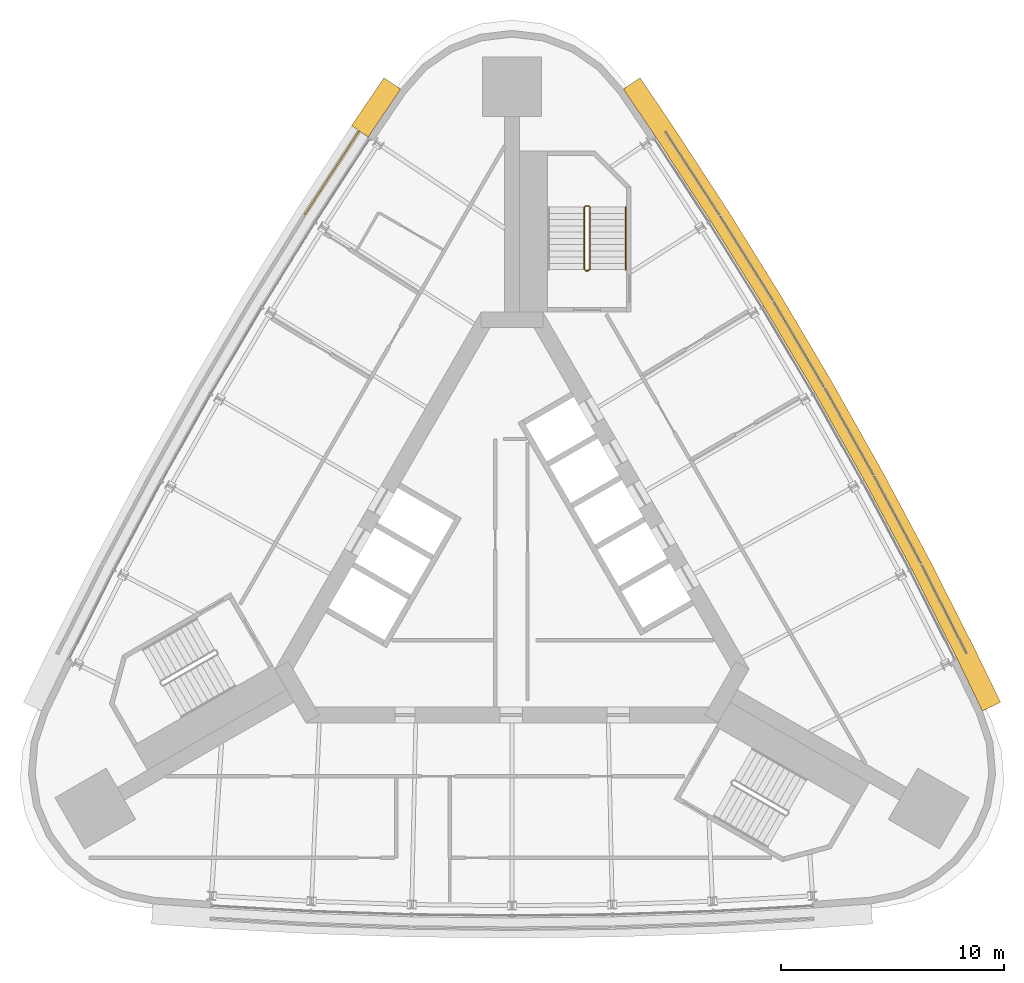
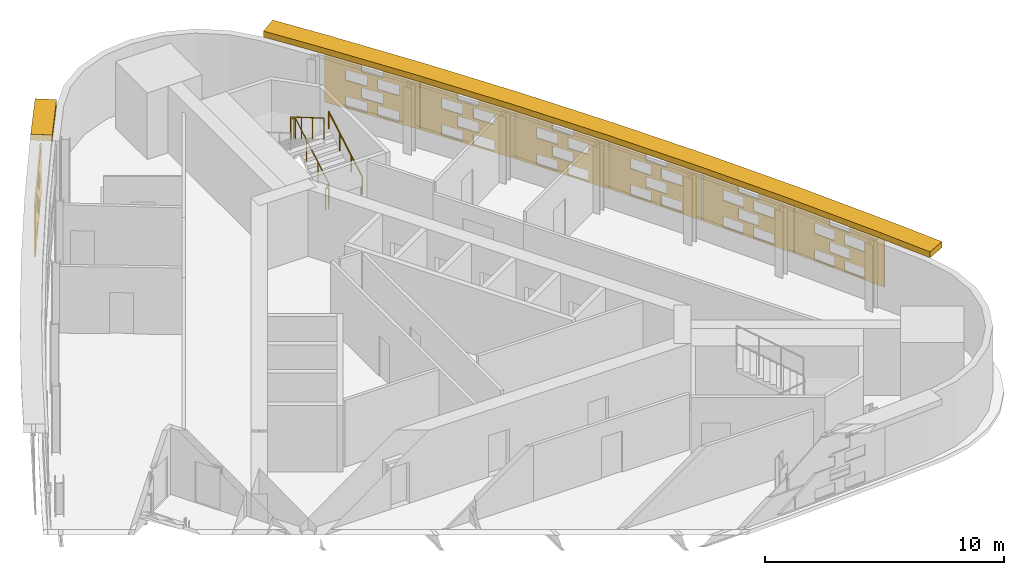
# One storey, part 11 of 11: 9 shading devices, 2 railings.
"""IFC4 building model written with IfcOpenShell, lengths in metres."""

from ifc_helpers import new_model, si_unit, direction, frame, origin, origin_2d, place, context, subcontext, project, spatial, polyline, circle, outline, extrude, material, material_profile, profile_set, type_object, element, save


model = new_model("IFC4")

# Units and contexts
model_context = context("Model", 3, precision=1e-05, world=origin(), true_north=direction((0.0, 1.0)))
body_context = subcontext(model_context, "Body", "Model", "MODEL_VIEW")
ifc_project = project(units=[si_unit("LENGTHUNIT", "METRE"), si_unit("AREAUNIT", "SQUARE_METRE"), si_unit("VOLUMEUNIT", "CUBIC_METRE"), si_unit("PLANEANGLEUNIT", "RADIAN"), si_unit("MASSUNIT", "GRAM", prefix="KILO")], contexts=[model_context])

# Site, building, storey
site_placement = place(None, origin())
site = spatial("IfcSite", under=ifc_project, at=site_placement, CompositionType="ELEMENT")
building_placement = place(site_placement, origin())
building = spatial("IfcBuilding", under=site, at=building_placement, Name="Noor Cloister Tower", CompositionType="ELEMENT")
storey_placement = place(building_placement, frame((0.0, 0.0, 203.10009765625)))
storey = spatial("IfcBuildingStorey", under=building, at=storey_placement, Name="L52", CompositionType="ELEMENT", Elevation=203.10009765625)

# Shading devices
ifc_material_1 = material(Name="Limestone", Category="masonry")
ifc_material_profile = material_profile(ifc_material_1, outline(polyline([(-2.22998046875, -1.35009765625), (2.22998046875, -1.35009765625), (2.22998046875, 1.35009765625), (-2.22998046875, 1.35009765625), (-2.22998046875, -1.35009765625)]), holes=[polyline([(-1.25, -1.282470703125), (-0.25, -1.282470703125), (-0.25, -0.742431640625), (-1.25, -0.742431640625), (-1.25, -1.282470703125)]), polyline([(0.25, -1.282470703125), (1.25, -1.282470703125), (1.25, -0.742431640625), (0.25, -0.742431640625), (0.25, -1.282470703125)]), polyline([(-0.5, -0.607421875), (0.5, -0.607421875), (0.5, -0.0673828125), (-0.5, -0.0673828125), (-0.5, -0.607421875)]), polyline([(-1.25, 0.0673828125), (-0.25, 0.0673828125), (-0.25, 0.607421875), (-1.25, 0.607421875), (-1.25, 0.0673828125)]), polyline([(0.25, 0.0673828125), (1.25, 0.0673828125), (1.25, 0.607421875), (0.25, 0.607421875), (0.25, 0.0673828125)]), polyline([(-0.5, 0.742431640625), (0.5, 0.742431640625), (0.5, 1.282470703125), (-0.5, 1.282470703125), (-0.5, 0.742431640625)])]), Name="Woven screen 32 percent open")
ifc_profile_set = profile_set([ifc_material_profile], Name="Limestone")
shading_device_type_1 = type_object("IfcShadingDeviceType", Name="SCREEN woven limestone 32 percent open", PredefinedType="USERDEFINED", material=ifc_profile_set)
for number, where, z_axis, x_axis, name in (
    (1, (-8.045654296875, 17.65673828125, 1.849853515625), (-0.838257628123, 0.545274379459, 0.0), (-0.545274379459, -0.838257628123, 0.0), "SCREEN L52 1"),
    (2, (19.31396484375, -1.860595703125, 1.849853515625), (0.891970083601, 0.452094425935, 0.0), (-0.452094425935, 0.891970083601, 0.0), "SCREEN L52 1"),
):
    element("IfcShadingDevice", number, at=place(storey_placement, frame(where, z_axis=z_axis, x_axis=x_axis)), inside=storey, type_object=shading_device_type_1, Name=name, ObjectType="SCREEN", PredefinedType="USERDEFINED", context=body_context, shape_type="SweptSolid", body=[
        extrude(outline(polyline([(-2.22998046875, -1.35009765625), (2.22998046875, -1.35009765625), (2.22998046875, 1.35009765625), (-2.22998046875, 1.35009765625), (-2.22998046875, -1.35009765625)]), holes=[polyline([(-1.25, -1.282470703125), (-0.25, -1.282470703125), (-0.25, -0.742431640625), (-1.25, -0.742431640625), (-1.25, -1.282470703125)]), polyline([(0.25, -1.282470703125), (1.25, -1.282470703125), (1.25, -0.742431640625), (0.25, -0.742431640625), (0.25, -1.282470703125)]), polyline([(-0.5, -0.607421875), (0.5, -0.607421875), (0.5, -0.0673828125), (-0.5, -0.0673828125), (-0.5, -0.607421875)]), polyline([(-1.25, 0.0673828125), (-0.25, 0.0673828125), (-0.25, 0.607421875), (-1.25, 0.607421875), (-1.25, 0.0673828125)]), polyline([(0.25, 0.0673828125), (1.25, 0.0673828125), (1.25, 0.607421875), (0.25, 0.607421875), (0.25, 0.0673828125)]), polyline([(-0.5, 0.742431640625), (0.5, 0.742431640625), (0.5, 1.282470703125), (-0.5, 1.282470703125), (-0.5, 0.742431640625)])]), origin(), (0.0, 0.0, 1.0), 0.06005859375),
    ])
for number, where, z_axis, x_axis, name in (
    (3, (17.232421875, 2.1396484375, 1.849853515625), (0.880994429299, 0.473126637957, 0.0), (-0.473126637957, 0.880994429299, 0.0), "SCREEN L52 2"),
    (4, (15.063720703125, 6.093505859375, 1.849853515625), (0.872227864306, 0.489099736994, 0.0), (-0.489099736994, 0.872227864306, 0.0), "SCREEN L52 3"),
):
    element("IfcShadingDevice", number, at=place(storey_placement, frame(where, z_axis=z_axis, x_axis=x_axis)), inside=storey, type_object=shading_device_type_1, Name=name, ObjectType="SCREEN", PredefinedType="USERDEFINED", context=body_context, shape_type="SweptSolid", body=[
        extrude(outline(polyline([(-2.22998046875, -1.35009765625), (2.22998046875, -1.35009765625), (2.22998046875, 1.35009765625), (-2.22998046875, 1.35009765625), (-2.22998046875, -1.35009765625)]), holes=[polyline([(-1.25, -1.282470703125), (-0.25, -1.282470703125), (-0.25, -0.742431640625), (-1.25, -0.742431640625), (-1.25, -1.282470703125)]), polyline([(0.25, -1.282470703125), (1.25, -1.282470703125), (1.25, -0.742431640625), (0.25, -0.742431640625), (0.25, -1.282470703125)]), polyline([(-0.5, -0.607421875), (0.5, -0.607421875), (0.5, -0.0673828125), (-0.5, -0.0673828125), (-0.5, -0.607421875)]), polyline([(-1.25, 0.0673828125), (-0.25, 0.0673828125), (-0.25, 0.607421875), (-1.25, 0.607421875), (-1.25, 0.0673828125)]), polyline([(0.25, 0.0673828125), (1.25, 0.0673828125), (1.25, 0.607421875), (0.25, 0.607421875), (0.25, 0.0673828125)]), polyline([(-0.5, 0.742431640625), (0.5, 0.742431640625), (0.5, 1.282470703125), (-0.5, 1.282470703125), (-0.5, 0.742431640625)])]), origin(), (0.0, 0.0, 1.0), 0.059814453125),
    ])
shading_device_1_placement = place(storey_placement, frame((12.808837890625, 9.998779296875, 1.849853515625), z_axis=(0.86141148773, 0.507907716822, 0.0), x_axis=(-0.507907716822, 0.86141148773, 0.0)))
element("IfcShadingDevice", 5, at=shading_device_1_placement, inside=storey, type_object=shading_device_type_1, Name="SCREEN L52 4", ObjectType="SCREEN", PredefinedType="USERDEFINED", context=body_context, shape_type="SweptSolid", body=[
    extrude(outline(polyline([(-2.22998046875, -1.35009765625), (2.22998046875, -1.35009765625), (2.22998046875, 1.35009765625), (-2.22998046875, 1.35009765625), (-2.22998046875, -1.35009765625)]), holes=[polyline([(-1.25, -1.282470703125), (-0.25, -1.282470703125), (-0.25, -0.742431640625), (-1.25, -0.742431640625), (-1.25, -1.282470703125)]), polyline([(0.25, -1.282470703125), (1.25, -1.282470703125), (1.25, -0.742431640625), (0.25, -0.742431640625), (0.25, -1.282470703125)]), polyline([(-0.5, -0.607421875), (0.5, -0.607421875), (0.5, -0.0673828125), (-0.5, -0.0673828125), (-0.5, -0.607421875)]), polyline([(-1.25, 0.0673828125), (-0.25, 0.0673828125), (-0.25, 0.607421875), (-1.25, 0.607421875), (-1.25, 0.0673828125)]), polyline([(0.25, 0.0673828125), (1.25, 0.0673828125), (1.25, 0.607421875), (0.25, 0.607421875), (0.25, 0.0673828125)]), polyline([(-0.5, 0.742431640625), (0.5, 0.742431640625), (0.5, 1.282470703125), (-0.5, 1.282470703125), (-0.5, 0.742431640625)])]), origin(), (0.0, 0.0, 1.0), 0.06005859375),
])
shading_device_2_placement = place(storey_placement, frame((10.46923828125, 13.853759765625, 1.849853515625), z_axis=(0.847998304005, 0.529998940003, 0.0), x_axis=(-0.529998940003, 0.847998304005, 0.0)))
element("IfcShadingDevice", 6, at=shading_device_2_placement, inside=storey, type_object=shading_device_type_1, Name="SCREEN L52 5", ObjectType="SCREEN", PredefinedType="USERDEFINED", context=body_context, shape_type="SweptSolid", body=[
    extrude(outline(polyline([(-2.22998046875, -1.35009765625), (2.22998046875, -1.35009765625), (2.22998046875, 1.35009765625), (-2.22998046875, 1.35009765625), (-2.22998046875, -1.35009765625)]), holes=[polyline([(-1.25, -1.282470703125), (-0.25, -1.282470703125), (-0.25, -0.742431640625), (-1.25, -0.742431640625), (-1.25, -1.282470703125)]), polyline([(0.25, -1.282470703125), (1.25, -1.282470703125), (1.25, -0.742431640625), (0.25, -0.742431640625), (0.25, -1.282470703125)]), polyline([(-0.5, -0.607421875), (0.5, -0.607421875), (0.5, -0.0673828125), (-0.5, -0.0673828125), (-0.5, -0.607421875)]), polyline([(-1.25, 0.0673828125), (-0.25, 0.0673828125), (-0.25, 0.607421875), (-1.25, 0.607421875), (-1.25, 0.0673828125)]), polyline([(0.25, 0.0673828125), (1.25, 0.0673828125), (1.25, 0.607421875), (0.25, 0.607421875), (0.25, 0.0673828125)]), polyline([(-0.5, 0.742431640625), (0.5, 0.742431640625), (0.5, 1.282470703125), (-0.5, 1.282470703125), (-0.5, 0.742431640625)])]), origin(), (0.0, 0.0, 1.0), 0.059814453125),
])
shading_device_3_placement = place(storey_placement, frame((8.045654296875, 17.65673828125, 1.849853515625), z_axis=(0.838257628123, 0.545274379459, 0.0), x_axis=(-0.545274379459, 0.838257628123, 0.0)))
element("IfcShadingDevice", 7, at=shading_device_3_placement, inside=storey, type_object=shading_device_type_1, Name="SCREEN L52 6", ObjectType="SCREEN", PredefinedType="USERDEFINED", context=body_context, shape_type="SweptSolid", body=[
    extrude(outline(polyline([(-2.22998046875, -1.35009765625), (2.22998046875, -1.35009765625), (2.22998046875, 1.35009765625), (-2.22998046875, 1.35009765625), (-2.22998046875, -1.35009765625)]), holes=[polyline([(-1.25, -1.282470703125), (-0.25, -1.282470703125), (-0.25, -0.742431640625), (-1.25, -0.742431640625), (-1.25, -1.282470703125)]), polyline([(0.25, -1.282470703125), (1.25, -1.282470703125), (1.25, -0.742431640625), (0.25, -0.742431640625), (0.25, -1.282470703125)]), polyline([(-0.5, -0.607421875), (0.5, -0.607421875), (0.5, -0.0673828125), (-0.5, -0.0673828125), (-0.5, -0.607421875)]), polyline([(-1.25, 0.0673828125), (-0.25, 0.0673828125), (-0.25, 0.607421875), (-1.25, 0.607421875), (-1.25, 0.0673828125)]), polyline([(0.25, 0.0673828125), (1.25, 0.0673828125), (1.25, 0.607421875), (0.25, 0.607421875), (0.25, 0.0673828125)]), polyline([(-0.5, 0.742431640625), (0.5, 0.742431640625), (0.5, 1.282470703125), (-0.5, 1.282470703125), (-0.5, 0.742431640625)])]), origin(), (0.0, 0.0, 1.0), 0.06005859375),
])
ifc_material_2 = material(Name="Limestone", Category="masonry")
shading_device_type_2 = type_object("IfcShadingDeviceType", Name="SUNSHADE limestone band 900", PredefinedType="USERDEFINED", material=ifc_material_2)
shading_device_4_placement = place(storey_placement, frame((0.0, 0.0, 3.2998046875)))
element("IfcShadingDevice", 8, at=shading_device_4_placement, inside=storey, type_object=shading_device_type_2, Name="SUNSHADE L52 3", ObjectType="SUNSHADE", PredefinedType="USERDEFINED", context=body_context, shape_type="SweptSolid", body=[
    extrude(outline(polyline([(21.8701171875, -6.010009765625), (20.735595703125, -3.67138671875), (18.6943359375, 0.358642578125), (16.564208984375, 4.344970703125), (14.347412109375, 8.283447265625), (12.044921875, 12.172607421875), (9.65771484375, 16.010498046875), (7.1884765625, 19.793212890625), (5.730224609375, 21.94482421875), (4.985107421875, 21.43994140625), (6.43896484375, 19.294677734375), (8.898681640625, 15.526611328125), (11.275390625, 11.70556640625), (13.56787109375, 7.83349609375), (15.775146484375, 3.912109375), (17.895751953125, -0.056884765625), (19.92919921875, -4.071044921875), (21.060302734375, -6.40283203125), (21.8701171875, -6.010009765625)])), origin(), (0.0, 0.0, 1.0), 0.300048828125),
])
shading_device_5_placement = place(storey_placement, frame((0.0, 0.0, 3.2998046875)))
element("IfcShadingDevice", 9, at=shading_device_5_placement, inside=storey, type_object=shading_device_type_2, Name="SUNSHADE L52 4", ObjectType="SUNSHADE", PredefinedType="USERDEFINED", context=body_context, shape_type="SweptSolid", body=[
    extrude(outline(polyline([(-5.730224609375, 21.94482421875), (-7.18408203125, 19.799560546875), (-6.43896484375, 19.294677734375), (-4.985107421875, 21.43994140625), (-5.730224609375, 21.94482421875)])), origin(), (0.0, 0.0, 1.0), 0.300048828125),
])

# Railings
ifc_material_3 = material(Name="Stainless steel", Category="steel")
railing_type_1 = type_object("IfcRailingType", Name="Stair guard 1100", PredefinedType="GUARDRAIL", material=ifc_material_3)
railing_1_placement = place(storey_placement, frame((3.435546875, 13.306396484375, 0.0)))
element("IfcRailing", 10, at=railing_1_placement, inside=storey, type_object=railing_type_1, Name="Stair guard ST1 L52", PredefinedType="GUARDRAIL", context=body_context, shape_type="SweptSolid", body=[
    extrude(circle(Radius=0.02392578125, at=origin_2d()), frame((0.0, 0.0, 1.076171875), z_axis=(-1.0, 0.0, 0.0), x_axis=(0.0, -1.0, 0.0)), (0.0, 0.0, 1.0), 0.14990234375),
    extrude(circle(Radius=0.02392578125, at=origin_2d()), frame((-0.14990234375, 0.0, 1.076171875), z_axis=(0.759870394187, 0.190199549216, 0.621627795), x_axis=(-0.242814311512, 0.970072785993, 0.0)), (0.0, 0.0, 1.0), 0.26318359375),
    extrude(circle(Radius=0.02392578125, at=origin_2d()), frame((0.050048828125, 0.050048828125, 1.23974609375), z_axis=(0.0, 0.863393664356, 0.504530851732), x_axis=(-1.0, 0.0, 0.0)), (0.0, 0.0, 1.0), 3.2431640625),
    extrude(circle(Radius=0.02392578125, at=origin_2d()), frame((0.050048828125, 2.85009765625, 2.8759765625), z_axis=(-0.708833529934, 0.705375805398, 0.0), x_axis=(-0.705375805398, -0.708833529934, 0.0)), (0.0, 0.0, 1.0), 0.070556640625),
    extrude(circle(Radius=0.02392578125, at=origin_2d()), frame((0.0, 2.89990234375, 2.8759765625), z_axis=(-1.0, 0.0, 0.0), x_axis=(0.0, -1.0, 0.0)), (0.0, 0.0, 1.0), 0.14990234375),
    extrude(circle(Radius=0.02392578125, at=origin_2d()), frame((-0.14990234375, 2.89990234375, 2.8759765625), z_axis=(-0.280563532951, -0.279194930351, 0.91833234444), x_axis=(0.705375805398, -0.708833529934, 0.0)), (0.0, 0.0, 1.0), 0.178466796875),
    extrude(circle(Radius=0.02392578125, at=origin_2d()), frame((-0.199951171875, 2.85009765625, 3.03955078125), z_axis=(0.0, -0.863393664356, 0.504530851732), x_axis=(1.0, 0.0, 0.0)), (0.0, 0.0, 1.0), 3.2431640625),
    extrude(circle(Radius=0.02099609375, at=origin_2d()), origin(), (0.0, 0.0, 1.0), 1.052001953125),
    extrude(circle(Radius=0.02099609375, at=origin_2d()), frame((-0.14990234375, 0.0, 0.0)), (0.0, 0.0, 1.0), 1.052001953125),
    extrude(circle(Radius=0.02099609375, at=origin_2d()), frame((0.050048828125, 0.050048828125, 0.16357421875)), (0.0, 0.0, 1.0), 1.052001953125),
    extrude(circle(Radius=0.02099609375, at=origin_2d()), frame((0.050048828125, 0.9833984375, 0.708984375)), (0.0, 0.0, 1.0), 1.052001953125),
    extrude(circle(Radius=0.02099609375, at=origin_2d()), frame((0.050048828125, 1.916748046875, 1.25439453125)), (0.0, 0.0, 1.0), 1.052001953125),
    extrude(circle(Radius=0.02099609375, at=origin_2d()), frame((0.050048828125, 2.85009765625, 1.7998046875)), (0.0, 0.0, 1.0), 1.052001953125),
    extrude(circle(Radius=0.02099609375, at=origin_2d()), frame((0.0, 2.89990234375, 1.7998046875)), (0.0, 0.0, 1.0), 1.052001953125),
    extrude(circle(Radius=0.02099609375, at=origin_2d()), frame((-0.14990234375, 2.89990234375, 1.7998046875)), (0.0, 0.0, 1.0), 1.052001953125),
    extrude(circle(Radius=0.02099609375, at=origin_2d()), frame((-0.199951171875, 2.85009765625, 1.963623046875)), (0.0, 0.0, 1.0), 1.052001953125),
    extrude(circle(Radius=0.02099609375, at=origin_2d()), frame((-0.199951171875, 1.916748046875, 2.509033203125)), (0.0, 0.0, 1.0), 1.052001953125),
    extrude(circle(Radius=0.02099609375, at=origin_2d()), frame((-0.199951171875, 0.9833984375, 3.054443359375)), (0.0, 0.0, 1.0), 1.052001953125),
    extrude(circle(Radius=0.02099609375, at=origin_2d()), frame((-0.199951171875, 0.050048828125, 3.599853515625)), (0.0, 0.0, 1.0), 1.052001953125),
])
ifc_material_4 = material(Name="Stainless steel", Category="steel")
railing_type_2 = type_object("IfcRailingType", Name="Stair handrail 900", PredefinedType="HANDRAIL", material=ifc_material_4)
railing_2_placement = place(storey_placement, frame((5.085693359375, 13.3564453125, 0.16357421875)))
element("IfcRailing", 11, at=railing_2_placement, inside=storey, type_object=railing_type_2, Name="Stair handrail ST1 L52 1", PredefinedType="HANDRAIL", context=body_context, shape_type="SweptSolid", body=[
    extrude(circle(Radius=0.02392578125, at=origin_2d()), frame((0.0, 0.0, 0.8759765625), z_axis=(0.0, 0.863393664356, 0.504530851732), x_axis=(-1.0, 0.0, 0.0)), (0.0, 0.0, 1.0), 3.2431640625),
    extrude(circle(Radius=0.02099609375, at=origin_2d()), origin(), (0.0, 0.0, 1.0), 0.851806640625),
    extrude(circle(Radius=0.02099609375, at=origin_2d()), frame((0.0, 0.933349609375, 0.54541015625)), (0.0, 0.0, 1.0), 0.851806640625),
    extrude(circle(Radius=0.02099609375, at=origin_2d()), frame((0.0, 1.86669921875, 1.0908203125)), (0.0, 0.0, 1.0), 0.851806640625),
    extrude(circle(Radius=0.02099609375, at=origin_2d()), frame((0.0, 2.800048828125, 1.63623046875)), (0.0, 0.0, 1.0), 0.851806640625),
])

save(model, "model.ifc")
